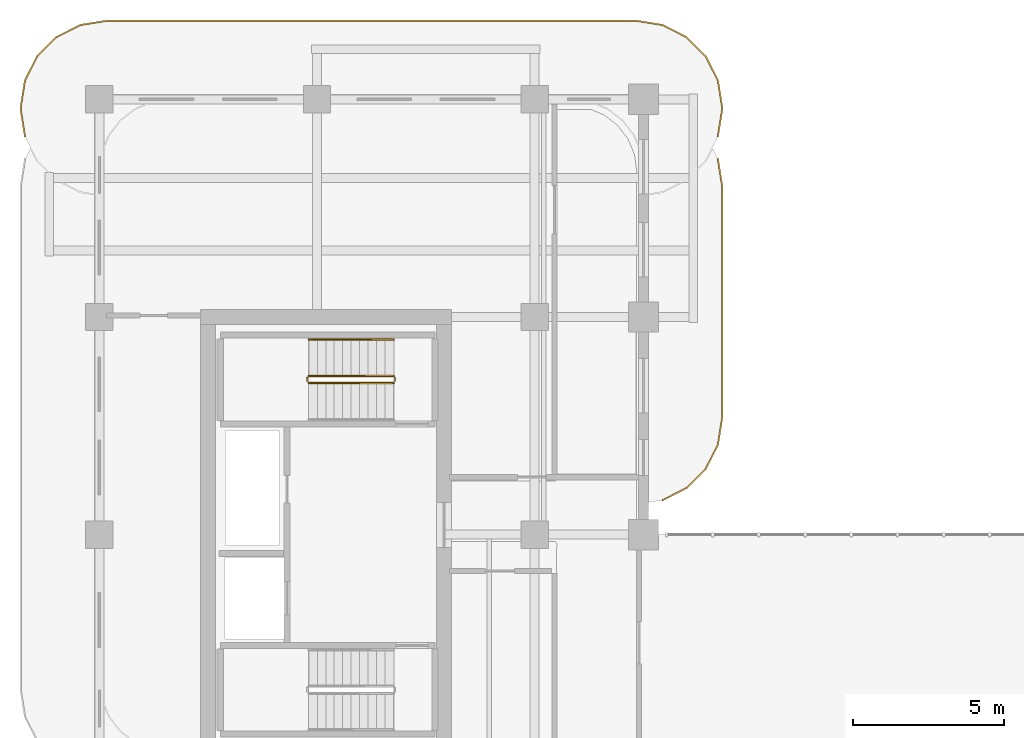
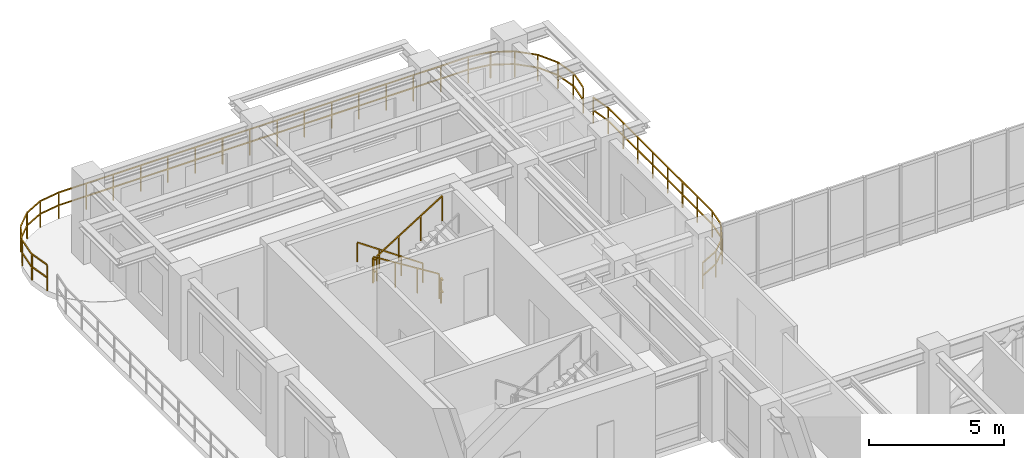
# One storey, part 19 of 19: 7 railings.
"""IFC4 building model written with IfcOpenShell, lengths in metres."""

from ifc_helpers import new_model, si_unit, derived_unit, direction, frame, origin, origin_2d, place, context, subcontext, project, spatial, rectangle, extrude, material, type_object, element, save


model = new_model("IFC4")

# Units and contexts
model_context = context("Model", 3, precision=1e-05, world=origin(), true_north=direction((0.0, 1.0)))
body_context = subcontext(model_context, "Body", "Model", "MODEL_VIEW")
ifc_project = project(units=[si_unit("LENGTHUNIT", "METRE"), si_unit("AREAUNIT", "SQUARE_METRE"), si_unit("VOLUMEUNIT", "CUBIC_METRE"), si_unit("PLANEANGLEUNIT", "RADIAN"), si_unit("MASSUNIT", "GRAM", prefix="KILO"), si_unit("THERMODYNAMICTEMPERATUREUNIT", "KELVIN"), si_unit("POWERUNIT", "WATT"), derived_unit("THERMALTRANSMITTANCEUNIT", [(si_unit("POWERUNIT", "WATT"), 1), (si_unit("AREAUNIT", "SQUARE_METRE"), -1), (si_unit("THERMODYNAMICTEMPERATUREUNIT", "KELVIN"), -1)])], contexts=[model_context])

# Site, building, storey
site_placement = place(None, origin())
site = spatial("IfcSite", under=ifc_project, at=site_placement, CompositionType="ELEMENT")
building_placement = place(site_placement, origin())
building = spatial("IfcBuilding", under=site, at=building_placement, Name="Zahravan Archway Hotel and Residences", CompositionType="ELEMENT")
storey_placement = place(building_placement, frame((0.0, 0.0, 201.89990234375)))
storey = spatial("IfcBuildingStorey", under=building, at=storey_placement, Name="L50", CompositionType="ELEMENT", Elevation=201.89990234375)

# Railings
ifc_material_1 = material(Name="Bronze & Laminated Glass Balustrade", Category="glass")
railing_type_1 = type_object("IfcRailingType", Name="RL-BAL-1200", PredefinedType="BALUSTRADE", material=ifc_material_1)
railing_1_placement = place(storey_placement, frame((-2.46044921875, 45.5693359375, 0.0)))
element("IfcRailing", 1, at=railing_1_placement, inside=storey, type_object=railing_type_1, Name="L50 Balustrade RL-SLB-BAL-L50-NB-1", PredefinedType="BALUSTRADE", context=body_context, shape_type="SweptSolid", body=[
    extrude(rectangle(XDim=0.048095703125, YDim=0.048095703125, at=origin_2d()), frame((0.0, 0.0, 1.17578125), z_axis=(-0.156623399917, 0.987658397726, 0.0), x_axis=(-0.987658397726, -0.156623399917, 0.0)), (0.0, 0.0, 1.0), 0.8916015625),
    extrude(rectangle(XDim=0.048095703125, YDim=0.048095703125, at=origin_2d()), frame((0.0, 0.0, 0.60009765625), z_axis=(-0.156623399917, 0.987658397726, 0.0), x_axis=(-0.987658397726, -0.156623399917, 0.0)), (0.0, 0.0, 1.0), 0.8916015625),
    extrude(rectangle(XDim=0.048095703125, YDim=0.048095703125, at=origin_2d()), frame((-0.1396484375, 0.880615234375, 1.17578125), z_axis=(0.0, 1.0, 0.0), x_axis=(-1.0, 0.0, 0.0)), (0.0, 0.0, 1.0), 0.10009765625),
    extrude(rectangle(XDim=0.048095703125, YDim=0.048095703125, at=origin_2d()), frame((-0.1396484375, 0.880615234375, 0.60009765625), z_axis=(0.0, 1.0, 0.0), x_axis=(-1.0, 0.0, 0.0)), (0.0, 0.0, 1.0), 0.10009765625),
    extrude(rectangle(XDim=0.048095703125, YDim=0.048095703125, at=origin_2d()), frame((-0.1396484375, 0.980712890625, 1.17578125), z_axis=(0.156623399917, 0.987658397726, 0.0), x_axis=(-0.987658397726, 0.156623399917, 0.0)), (0.0, 0.0, 1.0), 0.8916015625),
    extrude(rectangle(XDim=0.048095703125, YDim=0.048095703125, at=origin_2d()), frame((-0.1396484375, 0.980712890625, 0.60009765625), z_axis=(0.156623399917, 0.987658397726, 0.0), x_axis=(-0.987658397726, 0.156623399917, 0.0)), (0.0, 0.0, 1.0), 0.8916015625),
    extrude(rectangle(XDim=0.048095703125, YDim=0.048095703125, at=origin_2d()), frame((0.0, 1.861328125, 1.17578125), z_axis=(0.453991409995, 0.891006060389, 0.0), x_axis=(-0.891006060389, 0.453991409995, 0.0)), (0.0, 0.0, 1.0), 0.8916015625),
    extrude(rectangle(XDim=0.048095703125, YDim=0.048095703125, at=origin_2d()), frame((0.0, 1.861328125, 0.60009765625), z_axis=(0.453991409995, 0.891006060389, 0.0), x_axis=(-0.891006060389, 0.453991409995, 0.0)), (0.0, 0.0, 1.0), 0.8916015625),
    extrude(rectangle(XDim=0.048095703125, YDim=0.048095703125, at=origin_2d()), frame((0.40478515625, 2.65576171875, 1.17578125), z_axis=(0.706969864397, 0.70724367147, 0.0), x_axis=(-0.70724367147, 0.706969864397, 0.0)), (0.0, 0.0, 1.0), 0.8916015625),
    extrude(rectangle(XDim=0.048095703125, YDim=0.048095703125, at=origin_2d()), frame((0.40478515625, 2.65576171875, 0.60009765625), z_axis=(0.706969864397, 0.70724367147, 0.0), x_axis=(-0.70724367147, 0.706969864397, 0.0)), (0.0, 0.0, 1.0), 0.8916015625),
    extrude(rectangle(XDim=0.048095703125, YDim=0.048095703125, at=origin_2d()), frame((1.03515625, 3.286376953125, 1.17578125), z_axis=(0.891062476022, 0.45388067135, 0.0), x_axis=(-0.45388067135, 0.891062476022, 0.0)), (0.0, 0.0, 1.0), 0.891845703125),
    extrude(rectangle(XDim=0.048095703125, YDim=0.048095703125, at=origin_2d()), frame((1.03515625, 3.286376953125, 0.60009765625), z_axis=(0.891062476022, 0.45388067135, 0.0), x_axis=(-0.45388067135, 0.891062476022, 0.0)), (0.0, 0.0, 1.0), 0.891845703125),
    extrude(rectangle(XDim=0.048095703125, YDim=0.048095703125, at=origin_2d()), frame((1.829833984375, 3.691162109375, 1.17578125), z_axis=(0.987700720307, 0.156356282588, 0.0), x_axis=(-0.156356282588, 0.987700720307, 0.0)), (0.0, 0.0, 1.0), 0.8916015625),
    extrude(rectangle(XDim=0.048095703125, YDim=0.048095703125, at=origin_2d()), frame((1.829833984375, 3.691162109375, 0.60009765625), z_axis=(0.987700720307, 0.156356282588, 0.0), x_axis=(-0.156356282588, 0.987700720307, 0.0)), (0.0, 0.0, 1.0), 0.8916015625),
    extrude(rectangle(XDim=0.048095703125, YDim=0.048095703125, at=origin_2d()), frame((2.71044921875, 3.83056640625, 1.17578125), z_axis=(1.0, 0.0, 0.0), x_axis=(0.0, 1.0, 0.0)), (0.0, 0.0, 1.0), 17.5),
    extrude(rectangle(XDim=0.048095703125, YDim=0.048095703125, at=origin_2d()), frame((2.71044921875, 3.83056640625, 0.60009765625), z_axis=(1.0, 0.0, 0.0), x_axis=(0.0, 1.0, 0.0)), (0.0, 0.0, 1.0), 17.5),
    extrude(rectangle(XDim=0.048095703125, YDim=0.048095703125, at=origin_2d()), frame((20.21044921875, 3.83056640625, 1.17578125), z_axis=(0.987700720307, -0.156356282588, 0.0), x_axis=(0.156356282588, 0.987700720307, 0.0)), (0.0, 0.0, 1.0), 0.8916015625),
    extrude(rectangle(XDim=0.048095703125, YDim=0.048095703125, at=origin_2d()), frame((20.21044921875, 3.83056640625, 0.60009765625), z_axis=(0.987700720307, -0.156356282588, 0.0), x_axis=(0.156356282588, 0.987700720307, 0.0)), (0.0, 0.0, 1.0), 0.8916015625),
    extrude(rectangle(XDim=0.048095703125, YDim=0.048095703125, at=origin_2d()), frame((21.091064453125, 3.691162109375, 1.17578125), z_axis=(0.891062476022, -0.45388067135, 0.0), x_axis=(0.45388067135, 0.891062476022, 0.0)), (0.0, 0.0, 1.0), 0.891845703125),
    extrude(rectangle(XDim=0.048095703125, YDim=0.048095703125, at=origin_2d()), frame((21.091064453125, 3.691162109375, 0.60009765625), z_axis=(0.891062476022, -0.45388067135, 0.0), x_axis=(0.45388067135, 0.891062476022, 0.0)), (0.0, 0.0, 1.0), 0.891845703125),
    extrude(rectangle(XDim=0.048095703125, YDim=0.048095703125, at=origin_2d()), frame((21.8857421875, 3.286376953125, 1.17578125), z_axis=(0.706969864397, -0.70724367147, 0.0), x_axis=(0.70724367147, 0.706969864397, 0.0)), (0.0, 0.0, 1.0), 0.8916015625),
    extrude(rectangle(XDim=0.048095703125, YDim=0.048095703125, at=origin_2d()), frame((21.8857421875, 3.286376953125, 0.60009765625), z_axis=(0.706969864397, -0.70724367147, 0.0), x_axis=(0.70724367147, 0.706969864397, 0.0)), (0.0, 0.0, 1.0), 0.8916015625),
    extrude(rectangle(XDim=0.048095703125, YDim=0.048095703125, at=origin_2d()), frame((22.51611328125, 2.65576171875, 1.17578125), z_axis=(0.453991409995, -0.891006060389, 0.0), x_axis=(0.891006060389, 0.453991409995, 0.0)), (0.0, 0.0, 1.0), 0.8916015625),
    extrude(rectangle(XDim=0.048095703125, YDim=0.048095703125, at=origin_2d()), frame((22.51611328125, 2.65576171875, 0.60009765625), z_axis=(0.453991409995, -0.891006060389, 0.0), x_axis=(0.891006060389, 0.453991409995, 0.0)), (0.0, 0.0, 1.0), 0.8916015625),
    extrude(rectangle(XDim=0.048095703125, YDim=0.048095703125, at=origin_2d()), frame((22.9208984375, 1.861328125, 1.17578125), z_axis=(0.156623399917, -0.987658397726, 0.0), x_axis=(0.987658397726, 0.156623399917, 0.0)), (0.0, 0.0, 1.0), 0.8916015625),
    extrude(rectangle(XDim=0.048095703125, YDim=0.048095703125, at=origin_2d()), frame((22.9208984375, 1.861328125, 0.60009765625), z_axis=(0.156623399917, -0.987658397726, 0.0), x_axis=(0.987658397726, 0.156623399917, 0.0)), (0.0, 0.0, 1.0), 0.8916015625),
    extrude(rectangle(XDim=0.048095703125, YDim=0.048095703125, at=origin_2d()), frame((23.060546875, 0.980712890625, 1.17578125), z_axis=(0.0, -1.0, 0.0), x_axis=(1.0, 0.0, 0.0)), (0.0, 0.0, 1.0), 0.10009765625),
    extrude(rectangle(XDim=0.048095703125, YDim=0.048095703125, at=origin_2d()), frame((23.060546875, 0.980712890625, 0.60009765625), z_axis=(0.0, -1.0, 0.0), x_axis=(1.0, 0.0, 0.0)), (0.0, 0.0, 1.0), 0.10009765625),
    extrude(rectangle(XDim=0.048095703125, YDim=0.048095703125, at=origin_2d()), frame((23.060546875, 0.880615234375, 1.17578125), z_axis=(-0.156623399917, -0.987658397726, 0.0), x_axis=(0.987658397726, -0.156623399917, 0.0)), (0.0, 0.0, 1.0), 0.8916015625),
    extrude(rectangle(XDim=0.048095703125, YDim=0.048095703125, at=origin_2d()), frame((23.060546875, 0.880615234375, 0.60009765625), z_axis=(-0.156623399917, -0.987658397726, 0.0), x_axis=(0.987658397726, -0.156623399917, 0.0)), (0.0, 0.0, 1.0), 0.8916015625),
    extrude(rectangle(XDim=0.0419921875, YDim=0.0419921875, at=origin_2d()), origin(), (0.0, 0.0, 1.0), 1.15185546875),
    extrude(rectangle(XDim=0.0419921875, YDim=0.0419921875, at=origin_2d()), frame((-0.1396484375, 0.880615234375, 0.0)), (0.0, 0.0, 1.0), 1.15185546875),
    extrude(rectangle(XDim=0.0419921875, YDim=0.0419921875, at=origin_2d()), frame((0.0, 1.861328125, 0.0)), (0.0, 0.0, 1.0), 1.15185546875),
    extrude(rectangle(XDim=0.0419921875, YDim=0.0419921875, at=origin_2d()), frame((0.40478515625, 2.65576171875, 0.0)), (0.0, 0.0, 1.0), 1.15185546875),
    extrude(rectangle(XDim=0.0419921875, YDim=0.0419921875, at=origin_2d()), frame((1.03515625, 3.286376953125, 0.0)), (0.0, 0.0, 1.0), 1.15185546875),
    extrude(rectangle(XDim=0.0419921875, YDim=0.0419921875, at=origin_2d()), frame((1.829833984375, 3.691162109375, 0.0)), (0.0, 0.0, 1.0), 1.15185546875),
    extrude(rectangle(XDim=0.0419921875, YDim=0.0419921875, at=origin_2d()), frame((2.71044921875, 3.83056640625, 0.0)), (0.0, 0.0, 1.0), 1.15185546875),
    extrude(rectangle(XDim=0.0419921875, YDim=0.0419921875, at=origin_2d()), frame((3.877197265625, 3.83056640625, 0.0)), (0.0, 0.0, 1.0), 1.15185546875),
    extrude(rectangle(XDim=0.0419921875, YDim=0.0419921875, at=origin_2d()), frame((5.043701171875, 3.83056640625, 0.0)), (0.0, 0.0, 1.0), 1.15185546875),
    extrude(rectangle(XDim=0.0419921875, YDim=0.0419921875, at=origin_2d()), frame((6.21044921875, 3.83056640625, 0.0)), (0.0, 0.0, 1.0), 1.15185546875),
    extrude(rectangle(XDim=0.0419921875, YDim=0.0419921875, at=origin_2d()), frame((7.377197265625, 3.83056640625, 0.0)), (0.0, 0.0, 1.0), 1.15185546875),
    extrude(rectangle(XDim=0.0419921875, YDim=0.0419921875, at=origin_2d()), frame((8.543701171875, 3.83056640625, 0.0)), (0.0, 0.0, 1.0), 1.15185546875),
    extrude(rectangle(XDim=0.0419921875, YDim=0.0419921875, at=origin_2d()), frame((9.71044921875, 3.83056640625, 0.0)), (0.0, 0.0, 1.0), 1.15185546875),
    extrude(rectangle(XDim=0.0419921875, YDim=0.0419921875, at=origin_2d()), frame((10.877197265625, 3.83056640625, 0.0)), (0.0, 0.0, 1.0), 1.15185546875),
    extrude(rectangle(XDim=0.0419921875, YDim=0.0419921875, at=origin_2d()), frame((12.043701171875, 3.83056640625, 0.0)), (0.0, 0.0, 1.0), 1.15185546875),
    extrude(rectangle(XDim=0.0419921875, YDim=0.0419921875, at=origin_2d()), frame((13.21044921875, 3.83056640625, 0.0)), (0.0, 0.0, 1.0), 1.15185546875),
    extrude(rectangle(XDim=0.0419921875, YDim=0.0419921875, at=origin_2d()), frame((14.377197265625, 3.83056640625, 0.0)), (0.0, 0.0, 1.0), 1.15185546875),
    extrude(rectangle(XDim=0.0419921875, YDim=0.0419921875, at=origin_2d()), frame((15.543701171875, 3.83056640625, 0.0)), (0.0, 0.0, 1.0), 1.15185546875),
    extrude(rectangle(XDim=0.0419921875, YDim=0.0419921875, at=origin_2d()), frame((16.71044921875, 3.83056640625, 0.0)), (0.0, 0.0, 1.0), 1.15185546875),
    extrude(rectangle(XDim=0.0419921875, YDim=0.0419921875, at=origin_2d()), frame((17.877197265625, 3.83056640625, 0.0)), (0.0, 0.0, 1.0), 1.15185546875),
    extrude(rectangle(XDim=0.0419921875, YDim=0.0419921875, at=origin_2d()), frame((19.043701171875, 3.83056640625, 0.0)), (0.0, 0.0, 1.0), 1.15185546875),
    extrude(rectangle(XDim=0.0419921875, YDim=0.0419921875, at=origin_2d()), frame((20.21044921875, 3.83056640625, 0.0)), (0.0, 0.0, 1.0), 1.15185546875),
    extrude(rectangle(XDim=0.0419921875, YDim=0.0419921875, at=origin_2d()), frame((21.091064453125, 3.691162109375, 0.0)), (0.0, 0.0, 1.0), 1.15185546875),
    extrude(rectangle(XDim=0.0419921875, YDim=0.0419921875, at=origin_2d()), frame((21.8857421875, 3.286376953125, 0.0)), (0.0, 0.0, 1.0), 1.15185546875),
    extrude(rectangle(XDim=0.0419921875, YDim=0.0419921875, at=origin_2d()), frame((22.51611328125, 2.65576171875, 0.0)), (0.0, 0.0, 1.0), 1.15185546875),
    extrude(rectangle(XDim=0.0419921875, YDim=0.0419921875, at=origin_2d()), frame((22.9208984375, 1.861328125, 0.0)), (0.0, 0.0, 1.0), 1.15185546875),
    extrude(rectangle(XDim=0.0419921875, YDim=0.0419921875, at=origin_2d()), frame((23.060546875, 0.980712890625, 0.0)), (0.0, 0.0, 1.0), 1.15185546875),
    extrude(rectangle(XDim=0.0419921875, YDim=0.0419921875, at=origin_2d()), frame((22.9208984375, 0.0, 0.0)), (0.0, 0.0, 1.0), 1.15185546875),
])
railing_2_placement = place(storey_placement, frame((20.46044921875, 44.830810546875, 0.0)))
element("IfcRailing", 2, at=railing_2_placement, inside=storey, type_object=railing_type_1, Name="L50 Balustrade RL-SLB-BAL-L50-EB-1", PredefinedType="BALUSTRADE", context=body_context, shape_type="SweptSolid", body=[
    extrude(rectangle(XDim=0.048095703125, YDim=0.048095703125, at=origin_2d()), frame((0.0, 0.0, 1.17578125), z_axis=(0.156581054338, -0.98766511198, 0.0), x_axis=(0.98766511198, 0.156581054338, 0.0)), (0.0, 0.0, 1.0), 0.891845703125),
    extrude(rectangle(XDim=0.048095703125, YDim=0.048095703125, at=origin_2d()), frame((0.0, 0.0, 0.60009765625), z_axis=(0.156581054338, -0.98766511198, 0.0), x_axis=(0.98766511198, 0.156581054338, 0.0)), (0.0, 0.0, 1.0), 0.891845703125),
    extrude(rectangle(XDim=0.048095703125, YDim=0.048095703125, at=origin_2d()), frame((0.1396484375, -0.880859375, 1.17578125), z_axis=(0.0, -1.0, 0.0), x_axis=(1.0, 0.0, 0.0)), (0.0, 0.0, 1.0), 7.699951171875),
    extrude(rectangle(XDim=0.048095703125, YDim=0.048095703125, at=origin_2d()), frame((0.1396484375, -0.880859375, 0.60009765625), z_axis=(0.0, -1.0, 0.0), x_axis=(1.0, 0.0, 0.0)), (0.0, 0.0, 1.0), 7.699951171875),
    extrude(rectangle(XDim=0.048095703125, YDim=0.048095703125, at=origin_2d()), frame((0.1396484375, -8.580810546875, 1.17578125), z_axis=(-0.156623399917, -0.987658397726, 0.0), x_axis=(0.987658397726, -0.156623399917, 0.0)), (0.0, 0.0, 1.0), 0.8916015625),
    extrude(rectangle(XDim=0.048095703125, YDim=0.048095703125, at=origin_2d()), frame((0.1396484375, -8.580810546875, 0.60009765625), z_axis=(-0.156623399917, -0.987658397726, 0.0), x_axis=(0.987658397726, -0.156623399917, 0.0)), (0.0, 0.0, 1.0), 0.8916015625),
    extrude(rectangle(XDim=0.048095703125, YDim=0.048095703125, at=origin_2d()), frame((0.0, -9.46142578125, 1.17578125), z_axis=(-0.45388067135, -0.891062476022, 0.0), x_axis=(0.891062476022, -0.45388067135, 0.0)), (0.0, 0.0, 1.0), 0.891845703125),
    extrude(rectangle(XDim=0.048095703125, YDim=0.048095703125, at=origin_2d()), frame((0.0, -9.46142578125, 0.60009765625), z_axis=(-0.45388067135, -0.891062476022, 0.0), x_axis=(0.891062476022, -0.45388067135, 0.0)), (0.0, 0.0, 1.0), 0.891845703125),
    extrude(rectangle(XDim=0.048095703125, YDim=0.048095703125, at=origin_2d()), frame((-0.40478515625, -10.256103515625, 1.17578125), z_axis=(-0.707106781187, -0.707106781187, 0.0), x_axis=(0.707106781187, -0.707106781187, 0.0)), (0.0, 0.0, 1.0), 0.891357421875),
    extrude(rectangle(XDim=0.048095703125, YDim=0.048095703125, at=origin_2d()), frame((-0.40478515625, -10.256103515625, 0.60009765625), z_axis=(-0.707106781187, -0.707106781187, 0.0), x_axis=(0.707106781187, -0.707106781187, 0.0)), (0.0, 0.0, 1.0), 0.891357421875),
    extrude(rectangle(XDim=0.048095703125, YDim=0.048095703125, at=origin_2d()), frame((-1.03515625, -10.886474609375, 1.17578125), z_axis=(-0.891062476022, -0.45388067135, 0.0), x_axis=(0.45388067135, -0.891062476022, 0.0)), (0.0, 0.0, 1.0), 0.891845703125),
    extrude(rectangle(XDim=0.048095703125, YDim=0.048095703125, at=origin_2d()), frame((-1.03515625, -10.886474609375, 0.60009765625), z_axis=(-0.891062476022, -0.45388067135, 0.0), x_axis=(0.45388067135, -0.891062476022, 0.0)), (0.0, 0.0, 1.0), 0.891845703125),
    extrude(rectangle(XDim=0.0419921875, YDim=0.0419921875, at=origin_2d()), origin(), (0.0, 0.0, 1.0), 1.15185546875),
    extrude(rectangle(XDim=0.0419921875, YDim=0.0419921875, at=origin_2d()), frame((0.1396484375, -0.880859375, 0.0)), (0.0, 0.0, 1.0), 1.15185546875),
    extrude(rectangle(XDim=0.0419921875, YDim=0.0419921875, at=origin_2d()), frame((0.1396484375, -1.98095703125, 0.0)), (0.0, 0.0, 1.0), 1.15185546875),
    extrude(rectangle(XDim=0.0419921875, YDim=0.0419921875, at=origin_2d()), frame((0.1396484375, -3.080810546875, 0.0)), (0.0, 0.0, 1.0), 1.15185546875),
    extrude(rectangle(XDim=0.0419921875, YDim=0.0419921875, at=origin_2d()), frame((0.1396484375, -4.180908203125, 0.0)), (0.0, 0.0, 1.0), 1.15185546875),
    extrude(rectangle(XDim=0.0419921875, YDim=0.0419921875, at=origin_2d()), frame((0.1396484375, -5.28076171875, 0.0)), (0.0, 0.0, 1.0), 1.15185546875),
    extrude(rectangle(XDim=0.0419921875, YDim=0.0419921875, at=origin_2d()), frame((0.1396484375, -6.380859375, 0.0)), (0.0, 0.0, 1.0), 1.15185546875),
    extrude(rectangle(XDim=0.0419921875, YDim=0.0419921875, at=origin_2d()), frame((0.1396484375, -7.480712890625, 0.0)), (0.0, 0.0, 1.0), 1.15185546875),
    extrude(rectangle(XDim=0.0419921875, YDim=0.0419921875, at=origin_2d()), frame((0.1396484375, -8.580810546875, 0.0)), (0.0, 0.0, 1.0), 1.15185546875),
    extrude(rectangle(XDim=0.0419921875, YDim=0.0419921875, at=origin_2d()), frame((0.0, -9.46142578125, 0.0)), (0.0, 0.0, 1.0), 1.15185546875),
    extrude(rectangle(XDim=0.0419921875, YDim=0.0419921875, at=origin_2d()), frame((-0.40478515625, -10.256103515625, 0.0)), (0.0, 0.0, 1.0), 1.15185546875),
    extrude(rectangle(XDim=0.0419921875, YDim=0.0419921875, at=origin_2d()), frame((-1.03515625, -10.886474609375, 0.0)), (0.0, 0.0, 1.0), 1.15185546875),
    extrude(rectangle(XDim=0.0419921875, YDim=0.0419921875, at=origin_2d()), frame((-1.829833984375, -11.291259765625, 0.0)), (0.0, 0.0, 1.0), 1.15185546875),
])
ifc_material_2 = material(Name="Painted Tubular Steel", Category="steel")
railing_type_2 = type_object("IfcRailingType", Name="RL-STG-1150", PredefinedType="GUARDRAIL", material=ifc_material_2)
railing_3_placement = place(storey_placement, frame((9.72998046875, 37.64990234375, 0.175048828125)))
element("IfcRailing", 3, at=railing_3_placement, inside=storey, type_object=railing_type_2, Name="L50 ST-B2 stair guard 1", PredefinedType="GUARDRAIL", context=body_context, shape_type="SweptSolid", body=[
    extrude(rectangle(XDim=0.048095703125, YDim=0.048095703125, at=origin_2d()), frame((0.0, 0.0, 1.1259765625), z_axis=(-0.848002457836, 0.0, 0.529992293815), x_axis=(0.0, -1.0, 0.0)), (0.0, 0.0, 1.0), 3.302001953125),
    extrude(rectangle(XDim=0.0419921875, YDim=0.0419921875, at=origin_2d()), origin(), (0.0, 0.0, 1.0), 1.101806640625),
    extrude(rectangle(XDim=0.0419921875, YDim=0.0419921875, at=origin_2d()), frame((-0.933349609375, 0.0, 0.583251953125)), (0.0, 0.0, 1.0), 1.101806640625),
    extrude(rectangle(XDim=0.0419921875, YDim=0.0419921875, at=origin_2d()), frame((-1.86669921875, 0.0, 1.166748046875)), (0.0, 0.0, 1.0), 1.101806640625),
    extrude(rectangle(XDim=0.0419921875, YDim=0.0419921875, at=origin_2d()), frame((-2.800048828125, 0.0, 1.75)), (0.0, 0.0, 1.0), 1.101806640625),
])
railing_4_placement = place(storey_placement, frame((6.8798828125, 37.60009765625, 1.925048828125)))
element("IfcRailing", 4, at=railing_4_placement, inside=storey, type_object=railing_type_2, Name="L50 ST-B2 stair guard 2", PredefinedType="GUARDRAIL", context=body_context, shape_type="SweptSolid", body=[
    extrude(rectangle(XDim=0.048095703125, YDim=0.048095703125, at=origin_2d()), frame((0.0, 0.0, 1.1259765625), z_axis=(0.0, -1.0, 0.0), x_axis=(1.0, 0.0, 0.0)), (0.0, 0.0, 1.0), 0.14013671875),
    extrude(rectangle(XDim=0.048095703125, YDim=0.048095703125, at=origin_2d()), frame((0.0, 0.0, 0.574951171875), z_axis=(0.0, -1.0, 0.0), x_axis=(1.0, 0.0, 0.0)), (0.0, 0.0, 1.0), 0.14013671875),
    extrude(rectangle(XDim=0.0419921875, YDim=0.0419921875, at=origin_2d()), origin(), (0.0, 0.0, 1.0), 1.101806640625),
])
railing_5_placement = place(storey_placement, frame((6.929931640625, 37.409912109375, 2.10009765625)))
element("IfcRailing", 5, at=railing_5_placement, inside=storey, type_object=railing_type_2, Name="L50 ST-B2 stair guard 3", PredefinedType="GUARDRAIL", context=body_context, shape_type="SweptSolid", body=[
    extrude(rectangle(XDim=0.048095703125, YDim=0.048095703125, at=origin_2d()), frame((0.0, 0.0, 1.1259765625), z_axis=(0.848002457836, 0.0, 0.529992293815), x_axis=(0.0, 1.0, 0.0)), (0.0, 0.0, 1.0), 3.302001953125),
    extrude(rectangle(XDim=0.0419921875, YDim=0.0419921875, at=origin_2d()), origin(), (0.0, 0.0, 1.0), 1.101806640625),
    extrude(rectangle(XDim=0.0419921875, YDim=0.0419921875, at=origin_2d()), frame((0.933349609375, 0.0, 0.583251953125)), (0.0, 0.0, 1.0), 1.101806640625),
    extrude(rectangle(XDim=0.0419921875, YDim=0.0419921875, at=origin_2d()), frame((1.86669921875, 0.0, 1.166748046875)), (0.0, 0.0, 1.0), 1.101806640625),
    extrude(rectangle(XDim=0.0419921875, YDim=0.0419921875, at=origin_2d()), frame((2.800048828125, 0.0, 1.75)), (0.0, 0.0, 1.0), 1.101806640625),
])
railing_6_placement = place(storey_placement, frame((9.780029296875, 37.60009765625, 0.0)))
element("IfcRailing", 6, at=railing_6_placement, inside=storey, type_object=railing_type_2, Name="L50 ST-B2 stair guard 4", PredefinedType="GUARDRAIL", context=body_context, shape_type="SweptSolid", body=[
    extrude(rectangle(XDim=0.048095703125, YDim=0.048095703125, at=origin_2d()), frame((0.0, 0.0, 1.1259765625), z_axis=(0.0, -1.0, 0.0), x_axis=(1.0, 0.0, 0.0)), (0.0, 0.0, 1.0), 0.14013671875),
    extrude(rectangle(XDim=0.048095703125, YDim=0.048095703125, at=origin_2d()), frame((0.0, 0.0, 0.574951171875), z_axis=(0.0, -1.0, 0.0), x_axis=(1.0, 0.0, 0.0)), (0.0, 0.0, 1.0), 0.14013671875),
    extrude(rectangle(XDim=0.0419921875, YDim=0.0419921875, at=origin_2d()), origin(), (0.0, 0.0, 1.0), 1.101806640625),
])
ifc_material_3 = material(Name="Brushed Stainless Steel", Category="steel")
railing_type_3 = type_object("IfcRailingType", Name="RL-STH-900", PredefinedType="HANDRAIL", material=ifc_material_3)
railing_7_placement = place(storey_placement, frame((9.72998046875, 38.85009765625, 0.175048828125)))
element("IfcRailing", 7, at=railing_7_placement, inside=storey, type_object=railing_type_3, Name="L50 ST-B2 stair handrail 1", PredefinedType="HANDRAIL", context=body_context, shape_type="SweptSolid", body=[
    extrude(rectangle(XDim=0.048095703125, YDim=0.048095703125, at=origin_2d()), frame((0.0, 0.0, 0.8759765625), z_axis=(-0.824039827795, 0.0, 0.566531872191), x_axis=(0.0, -1.0, 0.0)), (0.0, 0.0, 1.0), 3.39794921875),
    extrude(rectangle(XDim=0.0419921875, YDim=0.0419921875, at=origin_2d()), origin(), (0.0, 0.0, 1.0), 0.851806640625),
    extrude(rectangle(XDim=0.0419921875, YDim=0.0419921875, at=origin_2d()), frame((-0.933349609375, 0.0, 0.6416015625)), (0.0, 0.0, 1.0), 0.851806640625),
    extrude(rectangle(XDim=0.0419921875, YDim=0.0419921875, at=origin_2d()), frame((-1.86669921875, 0.0, 1.283447265625)), (0.0, 0.0, 1.0), 0.851806640625),
    extrude(rectangle(XDim=0.0419921875, YDim=0.0419921875, at=origin_2d()), frame((-2.800048828125, 0.0, 1.925048828125)), (0.0, 0.0, 1.0), 0.851806640625),
])

save(model, "model.ifc")
